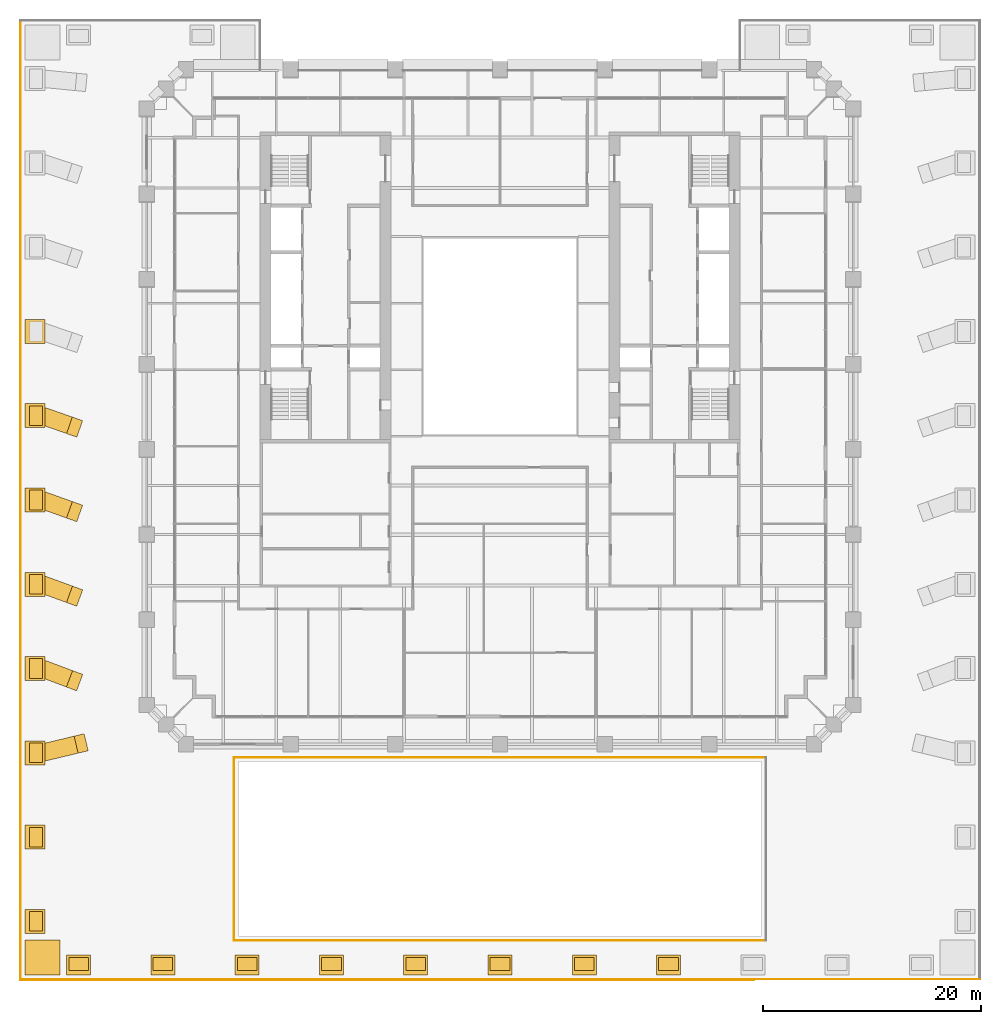
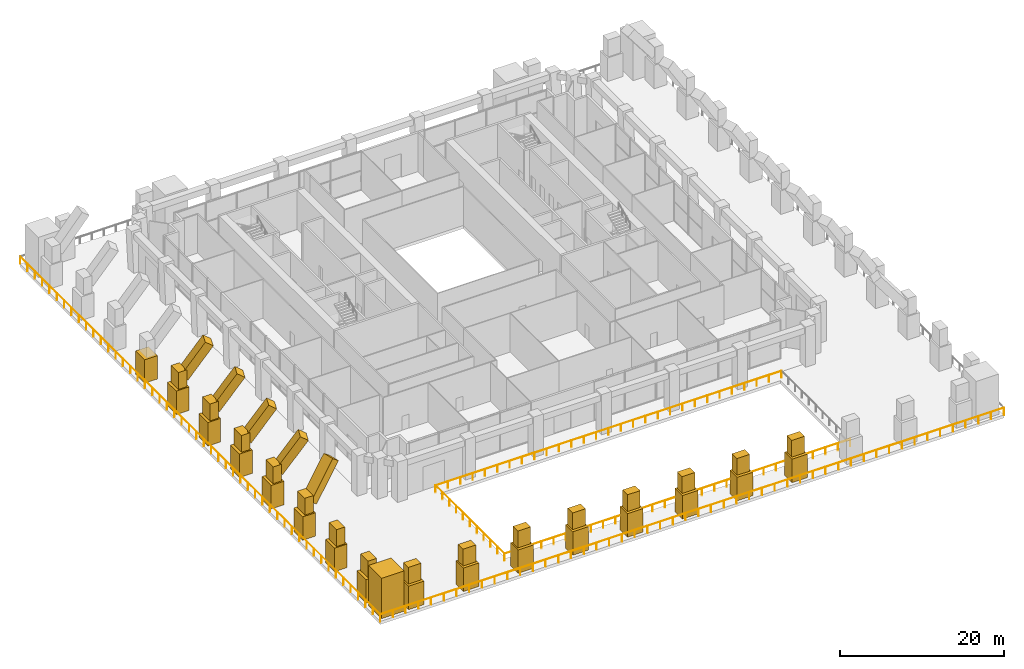
# One storey, part 18 of 20: 37 coverings, 5 railings.
"""IFC4 building model written with IfcOpenShell, lengths in metres."""

from ifc_helpers import new_model, si_unit, direction, frame, origin, origin_2d, place, context, subcontext, project, spatial, rectangle, circle, extrude, material, material_profile, profile_set, type_object, element, save


model = new_model("IFC4")

# Units and contexts
model_context = context("Model", 3, precision=1e-05, world=origin(), true_north=direction((0.0, 1.0)))
body_context = subcontext(model_context, "Body", "Model", "MODEL_VIEW")
ifc_project = project(units=[si_unit("LENGTHUNIT", "METRE"), si_unit("AREAUNIT", "SQUARE_METRE"), si_unit("VOLUMEUNIT", "CUBIC_METRE"), si_unit("PLANEANGLEUNIT", "RADIAN"), si_unit("MASSUNIT", "GRAM", prefix="KILO")], contexts=[model_context])

# Site, building, storey
site_placement = place(None, origin())
site = spatial("IfcSite", under=ifc_project, at=site_placement, CompositionType="ELEMENT")
building_placement = place(site_placement, origin())
building = spatial("IfcBuilding", under=site, at=building_placement, Name="Ogive Exchange Tower", CompositionType="ELEMENT")
storey_placement = place(building_placement, frame((0.0, 0.0, 33.60009765625)))
storey = spatial("IfcBuildingStorey", under=building, at=storey_placement, Name="L06", CompositionType="ELEMENT", Elevation=33.60009765625)

# Railings
ifc_material_1 = material(Name="Stainless steel 316", Category="steel")
railing_type = type_object("IfcRailingType", Name="Balustrade 1100 glass and stainless steel", PredefinedType="BALUSTRADE", material=ifc_material_1)
railing_1_placement = place(storey_placement, frame((-44.0, -52.0, 0.0)))
element("IfcRailing", 1, at=railing_1_placement, inside=storey, type_object=railing_type, Name="Terrace balustrade 1", PredefinedType="BALUSTRADE", context=body_context, shape_type="SweptSolid", body=[
    extrude(circle(Radius=0.02392578125, at=origin_2d()), frame((0.0, 0.0, 1.076171875), z_axis=(0.0, 1.0, 0.0), x_axis=(-1.0, 0.0, 0.0)), (0.0, 0.0, 1.0), 88.0),
    extrude(circle(Radius=0.02099609375, at=origin_2d()), origin(), (0.0, 0.0, 1.0), 1.052001953125),
    extrude(circle(Radius=0.02099609375, at=origin_2d()), frame((0.0, 1.7958984375, 0.0)), (0.0, 0.0, 1.0), 1.052001953125),
    extrude(circle(Radius=0.02099609375, at=origin_2d()), frame((0.0, 3.591796875, 0.0)), (0.0, 0.0, 1.0), 1.052001953125),
    extrude(circle(Radius=0.02099609375, at=origin_2d()), frame((0.0, 5.3876953125, 0.0)), (0.0, 0.0, 1.0), 1.052001953125),
    extrude(circle(Radius=0.02099609375, at=origin_2d()), frame((0.0, 7.18359375, 0.0)), (0.0, 0.0, 1.0), 1.052001953125),
    extrude(circle(Radius=0.02099609375, at=origin_2d()), frame((0.0, 8.9794921875, 0.0)), (0.0, 0.0, 1.0), 1.052001953125),
    extrude(circle(Radius=0.02099609375, at=origin_2d()), frame((0.0, 10.775390625, 0.0)), (0.0, 0.0, 1.0), 1.052001953125),
    extrude(circle(Radius=0.02099609375, at=origin_2d()), frame((0.0, 12.571533203125, 0.0)), (0.0, 0.0, 1.0), 1.052001953125),
    extrude(circle(Radius=0.02099609375, at=origin_2d()), frame((0.0, 14.367431640625, 0.0)), (0.0, 0.0, 1.0), 1.052001953125),
    extrude(circle(Radius=0.02099609375, at=origin_2d()), frame((0.0, 16.163330078125, 0.0)), (0.0, 0.0, 1.0), 1.052001953125),
    extrude(circle(Radius=0.02099609375, at=origin_2d()), frame((0.0, 17.959228515625, 0.0)), (0.0, 0.0, 1.0), 1.052001953125),
    extrude(circle(Radius=0.02099609375, at=origin_2d()), frame((0.0, 19.755126953125, 0.0)), (0.0, 0.0, 1.0), 1.052001953125),
    extrude(circle(Radius=0.02099609375, at=origin_2d()), frame((0.0, 21.551025390625, 0.0)), (0.0, 0.0, 1.0), 1.052001953125),
    extrude(circle(Radius=0.02099609375, at=origin_2d()), frame((0.0, 23.346923828125, 0.0)), (0.0, 0.0, 1.0), 1.052001953125),
    extrude(circle(Radius=0.02099609375, at=origin_2d()), frame((0.0, 25.142822265625, 0.0)), (0.0, 0.0, 1.0), 1.052001953125),
    extrude(circle(Radius=0.02099609375, at=origin_2d()), frame((0.0, 26.938720703125, 0.0)), (0.0, 0.0, 1.0), 1.052001953125),
    extrude(circle(Radius=0.02099609375, at=origin_2d()), frame((0.0, 28.734619140625, 0.0)), (0.0, 0.0, 1.0), 1.052001953125),
    extrude(circle(Radius=0.02099609375, at=origin_2d()), frame((0.0, 30.530517578125, 0.0)), (0.0, 0.0, 1.0), 1.052001953125),
    extrude(circle(Radius=0.02099609375, at=origin_2d()), frame((0.0, 32.326416015625, 0.0)), (0.0, 0.0, 1.0), 1.052001953125),
    extrude(circle(Radius=0.02099609375, at=origin_2d()), frame((0.0, 34.12255859375, 0.0)), (0.0, 0.0, 1.0), 1.052001953125),
    extrude(circle(Radius=0.02099609375, at=origin_2d()), frame((0.0, 35.91845703125, 0.0)), (0.0, 0.0, 1.0), 1.052001953125),
    extrude(circle(Radius=0.02099609375, at=origin_2d()), frame((0.0, 37.71435546875, 0.0)), (0.0, 0.0, 1.0), 1.052001953125),
    extrude(circle(Radius=0.02099609375, at=origin_2d()), frame((0.0, 39.51025390625, 0.0)), (0.0, 0.0, 1.0), 1.052001953125),
    extrude(circle(Radius=0.02099609375, at=origin_2d()), frame((0.0, 41.30615234375, 0.0)), (0.0, 0.0, 1.0), 1.052001953125),
    extrude(circle(Radius=0.02099609375, at=origin_2d()), frame((0.0, 43.10205078125, 0.0)), (0.0, 0.0, 1.0), 1.052001953125),
    extrude(circle(Radius=0.02099609375, at=origin_2d()), frame((0.0, 44.89794921875, 0.0)), (0.0, 0.0, 1.0), 1.052001953125),
    extrude(circle(Radius=0.02099609375, at=origin_2d()), frame((0.0, 46.69384765625, 0.0)), (0.0, 0.0, 1.0), 1.052001953125),
    extrude(circle(Radius=0.02099609375, at=origin_2d()), frame((0.0, 48.48974609375, 0.0)), (0.0, 0.0, 1.0), 1.052001953125),
    extrude(circle(Radius=0.02099609375, at=origin_2d()), frame((0.0, 50.28564453125, 0.0)), (0.0, 0.0, 1.0), 1.052001953125),
    extrude(circle(Radius=0.02099609375, at=origin_2d()), frame((0.0, 52.08154296875, 0.0)), (0.0, 0.0, 1.0), 1.052001953125),
    extrude(circle(Radius=0.02099609375, at=origin_2d()), frame((0.0, 53.87744140625, 0.0)), (0.0, 0.0, 1.0), 1.052001953125),
    extrude(circle(Radius=0.02099609375, at=origin_2d()), frame((0.0, 55.673583984375, 0.0)), (0.0, 0.0, 1.0), 1.052001953125),
    extrude(circle(Radius=0.02099609375, at=origin_2d()), frame((0.0, 57.469482421875, 0.0)), (0.0, 0.0, 1.0), 1.052001953125),
    extrude(circle(Radius=0.02099609375, at=origin_2d()), frame((0.0, 59.265380859375, 0.0)), (0.0, 0.0, 1.0), 1.052001953125),
    extrude(circle(Radius=0.02099609375, at=origin_2d()), frame((0.0, 61.061279296875, 0.0)), (0.0, 0.0, 1.0), 1.052001953125),
    extrude(circle(Radius=0.02099609375, at=origin_2d()), frame((0.0, 62.857177734375, 0.0)), (0.0, 0.0, 1.0), 1.052001953125),
    extrude(circle(Radius=0.02099609375, at=origin_2d()), frame((0.0, 64.653076171875, 0.0)), (0.0, 0.0, 1.0), 1.052001953125),
    extrude(circle(Radius=0.02099609375, at=origin_2d()), frame((0.0, 66.448974609375, 0.0)), (0.0, 0.0, 1.0), 1.052001953125),
    extrude(circle(Radius=0.02099609375, at=origin_2d()), frame((0.0, 68.244873046875, 0.0)), (0.0, 0.0, 1.0), 1.052001953125),
    extrude(circle(Radius=0.02099609375, at=origin_2d()), frame((0.0, 70.040771484375, 0.0)), (0.0, 0.0, 1.0), 1.052001953125),
    extrude(circle(Radius=0.02099609375, at=origin_2d()), frame((0.0, 71.836669921875, 0.0)), (0.0, 0.0, 1.0), 1.052001953125),
    extrude(circle(Radius=0.02099609375, at=origin_2d()), frame((0.0, 73.632568359375, 0.0)), (0.0, 0.0, 1.0), 1.052001953125),
    extrude(circle(Radius=0.02099609375, at=origin_2d()), frame((0.0, 75.428466796875, 0.0)), (0.0, 0.0, 1.0), 1.052001953125),
    extrude(circle(Radius=0.02099609375, at=origin_2d()), frame((0.0, 77.224609375, 0.0)), (0.0, 0.0, 1.0), 1.052001953125),
    extrude(circle(Radius=0.02099609375, at=origin_2d()), frame((0.0, 79.0205078125, 0.0)), (0.0, 0.0, 1.0), 1.052001953125),
    extrude(circle(Radius=0.02099609375, at=origin_2d()), frame((0.0, 80.81640625, 0.0)), (0.0, 0.0, 1.0), 1.052001953125),
    extrude(circle(Radius=0.02099609375, at=origin_2d()), frame((0.0, 82.6123046875, 0.0)), (0.0, 0.0, 1.0), 1.052001953125),
    extrude(circle(Radius=0.02099609375, at=origin_2d()), frame((0.0, 84.408203125, 0.0)), (0.0, 0.0, 1.0), 1.052001953125),
    extrude(circle(Radius=0.02099609375, at=origin_2d()), frame((0.0, 86.2041015625, 0.0)), (0.0, 0.0, 1.0), 1.052001953125),
    extrude(circle(Radius=0.02099609375, at=origin_2d()), frame((0.0, 88.0, 0.0)), (0.0, 0.0, 1.0), 1.052001953125),
])
railing_2_placement = place(storey_placement, frame((44.0, -52.0, 0.0)))
element("IfcRailing", 2, at=railing_2_placement, inside=storey, type_object=railing_type, Name="Terrace balustrade 7", PredefinedType="BALUSTRADE", context=body_context, shape_type="SweptSolid", body=[
    extrude(circle(Radius=0.02392578125, at=origin_2d()), frame((0.0, 0.0, 1.076171875), z_axis=(-1.0, 0.0, 0.0), x_axis=(0.0, -1.0, 0.0)), (0.0, 0.0, 1.0), 88.0),
    extrude(circle(Radius=0.02099609375, at=origin_2d()), origin(), (0.0, 0.0, 1.0), 1.052001953125),
    extrude(circle(Radius=0.02099609375, at=origin_2d()), frame((-1.7958984375, 0.0, 0.0)), (0.0, 0.0, 1.0), 1.052001953125),
    extrude(circle(Radius=0.02099609375, at=origin_2d()), frame((-3.591796875, 0.0, 0.0)), (0.0, 0.0, 1.0), 1.052001953125),
    extrude(circle(Radius=0.02099609375, at=origin_2d()), frame((-5.3876953125, 0.0, 0.0)), (0.0, 0.0, 1.0), 1.052001953125),
    extrude(circle(Radius=0.02099609375, at=origin_2d()), frame((-7.18359375, 0.0, 0.0)), (0.0, 0.0, 1.0), 1.052001953125),
    extrude(circle(Radius=0.02099609375, at=origin_2d()), frame((-8.9794921875, 0.0, 0.0)), (0.0, 0.0, 1.0), 1.052001953125),
    extrude(circle(Radius=0.02099609375, at=origin_2d()), frame((-10.775390625, 0.0, 0.0)), (0.0, 0.0, 1.0), 1.052001953125),
    extrude(circle(Radius=0.02099609375, at=origin_2d()), frame((-12.571533203125, 0.0, 0.0)), (0.0, 0.0, 1.0), 1.052001953125),
    extrude(circle(Radius=0.02099609375, at=origin_2d()), frame((-14.367431640625, 0.0, 0.0)), (0.0, 0.0, 1.0), 1.052001953125),
    extrude(circle(Radius=0.02099609375, at=origin_2d()), frame((-16.163330078125, 0.0, 0.0)), (0.0, 0.0, 1.0), 1.052001953125),
    extrude(circle(Radius=0.02099609375, at=origin_2d()), frame((-17.959228515625, 0.0, 0.0)), (0.0, 0.0, 1.0), 1.052001953125),
    extrude(circle(Radius=0.02099609375, at=origin_2d()), frame((-19.755126953125, 0.0, 0.0)), (0.0, 0.0, 1.0), 1.052001953125),
    extrude(circle(Radius=0.02099609375, at=origin_2d()), frame((-21.551025390625, 0.0, 0.0)), (0.0, 0.0, 1.0), 1.052001953125),
    extrude(circle(Radius=0.02099609375, at=origin_2d()), frame((-23.346923828125, 0.0, 0.0)), (0.0, 0.0, 1.0), 1.052001953125),
    extrude(circle(Radius=0.02099609375, at=origin_2d()), frame((-25.142822265625, 0.0, 0.0)), (0.0, 0.0, 1.0), 1.052001953125),
    extrude(circle(Radius=0.02099609375, at=origin_2d()), frame((-26.938720703125, 0.0, 0.0)), (0.0, 0.0, 1.0), 1.052001953125),
    extrude(circle(Radius=0.02099609375, at=origin_2d()), frame((-28.734619140625, 0.0, 0.0)), (0.0, 0.0, 1.0), 1.052001953125),
    extrude(circle(Radius=0.02099609375, at=origin_2d()), frame((-30.530517578125, 0.0, 0.0)), (0.0, 0.0, 1.0), 1.052001953125),
    extrude(circle(Radius=0.02099609375, at=origin_2d()), frame((-32.326416015625, 0.0, 0.0)), (0.0, 0.0, 1.0), 1.052001953125),
    extrude(circle(Radius=0.02099609375, at=origin_2d()), frame((-34.12255859375, 0.0, 0.0)), (0.0, 0.0, 1.0), 1.052001953125),
    extrude(circle(Radius=0.02099609375, at=origin_2d()), frame((-35.91845703125, 0.0, 0.0)), (0.0, 0.0, 1.0), 1.052001953125),
    extrude(circle(Radius=0.02099609375, at=origin_2d()), frame((-37.71435546875, 0.0, 0.0)), (0.0, 0.0, 1.0), 1.052001953125),
    extrude(circle(Radius=0.02099609375, at=origin_2d()), frame((-39.51025390625, 0.0, 0.0)), (0.0, 0.0, 1.0), 1.052001953125),
    extrude(circle(Radius=0.02099609375, at=origin_2d()), frame((-41.30615234375, 0.0, 0.0)), (0.0, 0.0, 1.0), 1.052001953125),
    extrude(circle(Radius=0.02099609375, at=origin_2d()), frame((-43.10205078125, 0.0, 0.0)), (0.0, 0.0, 1.0), 1.052001953125),
    extrude(circle(Radius=0.02099609375, at=origin_2d()), frame((-44.89794921875, 0.0, 0.0)), (0.0, 0.0, 1.0), 1.052001953125),
    extrude(circle(Radius=0.02099609375, at=origin_2d()), frame((-46.69384765625, 0.0, 0.0)), (0.0, 0.0, 1.0), 1.052001953125),
    extrude(circle(Radius=0.02099609375, at=origin_2d()), frame((-48.48974609375, 0.0, 0.0)), (0.0, 0.0, 1.0), 1.052001953125),
    extrude(circle(Radius=0.02099609375, at=origin_2d()), frame((-50.28564453125, 0.0, 0.0)), (0.0, 0.0, 1.0), 1.052001953125),
    extrude(circle(Radius=0.02099609375, at=origin_2d()), frame((-52.08154296875, 0.0, 0.0)), (0.0, 0.0, 1.0), 1.052001953125),
    extrude(circle(Radius=0.02099609375, at=origin_2d()), frame((-53.87744140625, 0.0, 0.0)), (0.0, 0.0, 1.0), 1.052001953125),
    extrude(circle(Radius=0.02099609375, at=origin_2d()), frame((-55.673583984375, 0.0, 0.0)), (0.0, 0.0, 1.0), 1.052001953125),
    extrude(circle(Radius=0.02099609375, at=origin_2d()), frame((-57.469482421875, 0.0, 0.0)), (0.0, 0.0, 1.0), 1.052001953125),
    extrude(circle(Radius=0.02099609375, at=origin_2d()), frame((-59.265380859375, 0.0, 0.0)), (0.0, 0.0, 1.0), 1.052001953125),
    extrude(circle(Radius=0.02099609375, at=origin_2d()), frame((-61.061279296875, 0.0, 0.0)), (0.0, 0.0, 1.0), 1.052001953125),
    extrude(circle(Radius=0.02099609375, at=origin_2d()), frame((-62.857177734375, 0.0, 0.0)), (0.0, 0.0, 1.0), 1.052001953125),
    extrude(circle(Radius=0.02099609375, at=origin_2d()), frame((-64.653076171875, 0.0, 0.0)), (0.0, 0.0, 1.0), 1.052001953125),
    extrude(circle(Radius=0.02099609375, at=origin_2d()), frame((-66.448974609375, 0.0, 0.0)), (0.0, 0.0, 1.0), 1.052001953125),
    extrude(circle(Radius=0.02099609375, at=origin_2d()), frame((-68.244873046875, 0.0, 0.0)), (0.0, 0.0, 1.0), 1.052001953125),
    extrude(circle(Radius=0.02099609375, at=origin_2d()), frame((-70.040771484375, 0.0, 0.0)), (0.0, 0.0, 1.0), 1.052001953125),
    extrude(circle(Radius=0.02099609375, at=origin_2d()), frame((-71.836669921875, 0.0, 0.0)), (0.0, 0.0, 1.0), 1.052001953125),
    extrude(circle(Radius=0.02099609375, at=origin_2d()), frame((-73.632568359375, 0.0, 0.0)), (0.0, 0.0, 1.0), 1.052001953125),
    extrude(circle(Radius=0.02099609375, at=origin_2d()), frame((-75.428466796875, 0.0, 0.0)), (0.0, 0.0, 1.0), 1.052001953125),
    extrude(circle(Radius=0.02099609375, at=origin_2d()), frame((-77.224609375, 0.0, 0.0)), (0.0, 0.0, 1.0), 1.052001953125),
    extrude(circle(Radius=0.02099609375, at=origin_2d()), frame((-79.0205078125, 0.0, 0.0)), (0.0, 0.0, 1.0), 1.052001953125),
    extrude(circle(Radius=0.02099609375, at=origin_2d()), frame((-80.81640625, 0.0, 0.0)), (0.0, 0.0, 1.0), 1.052001953125),
    extrude(circle(Radius=0.02099609375, at=origin_2d()), frame((-82.6123046875, 0.0, 0.0)), (0.0, 0.0, 1.0), 1.052001953125),
    extrude(circle(Radius=0.02099609375, at=origin_2d()), frame((-84.408203125, 0.0, 0.0)), (0.0, 0.0, 1.0), 1.052001953125),
    extrude(circle(Radius=0.02099609375, at=origin_2d()), frame((-86.2041015625, 0.0, 0.0)), (0.0, 0.0, 1.0), 1.052001953125),
    extrude(circle(Radius=0.02099609375, at=origin_2d()), frame((-88.0, 0.0, 0.0)), (0.0, 0.0, 1.0), 1.052001953125),
])
railing_3_placement = place(storey_placement, frame((24.39990234375, -48.39990234375, 0.0)))
element("IfcRailing", 3, at=railing_3_placement, inside=storey, type_object=railing_type, Name="Terrace balustrade 9", PredefinedType="BALUSTRADE", context=body_context, shape_type="SweptSolid", body=[
    extrude(circle(Radius=0.02392578125, at=origin_2d()), frame((0.0, 0.0, 1.076171875), z_axis=(-1.0, 0.0, 0.0), x_axis=(0.0, -1.0, 0.0)), (0.0, 0.0, 1.0), 48.7998046875),
    extrude(circle(Radius=0.02099609375, at=origin_2d()), origin(), (0.0, 0.0, 1.0), 1.052001953125),
    extrude(circle(Radius=0.02099609375, at=origin_2d()), frame((-1.742919921875, 0.0, 0.0)), (0.0, 0.0, 1.0), 1.052001953125),
    extrude(circle(Radius=0.02099609375, at=origin_2d()), frame((-3.485595703125, 0.0, 0.0)), (0.0, 0.0, 1.0), 1.052001953125),
    extrude(circle(Radius=0.02099609375, at=origin_2d()), frame((-5.228515625, 0.0, 0.0)), (0.0, 0.0, 1.0), 1.052001953125),
    extrude(circle(Radius=0.02099609375, at=origin_2d()), frame((-6.971435546875, 0.0, 0.0)), (0.0, 0.0, 1.0), 1.052001953125),
    extrude(circle(Radius=0.02099609375, at=origin_2d()), frame((-8.71435546875, 0.0, 0.0)), (0.0, 0.0, 1.0), 1.052001953125),
    extrude(circle(Radius=0.02099609375, at=origin_2d()), frame((-10.45703125, 0.0, 0.0)), (0.0, 0.0, 1.0), 1.052001953125),
    extrude(circle(Radius=0.02099609375, at=origin_2d()), frame((-12.199951171875, 0.0, 0.0)), (0.0, 0.0, 1.0), 1.052001953125),
    extrude(circle(Radius=0.02099609375, at=origin_2d()), frame((-13.94287109375, 0.0, 0.0)), (0.0, 0.0, 1.0), 1.052001953125),
    extrude(circle(Radius=0.02099609375, at=origin_2d()), frame((-15.685546875, 0.0, 0.0)), (0.0, 0.0, 1.0), 1.052001953125),
    extrude(circle(Radius=0.02099609375, at=origin_2d()), frame((-17.428466796875, 0.0, 0.0)), (0.0, 0.0, 1.0), 1.052001953125),
    extrude(circle(Radius=0.02099609375, at=origin_2d()), frame((-19.17138671875, 0.0, 0.0)), (0.0, 0.0, 1.0), 1.052001953125),
    extrude(circle(Radius=0.02099609375, at=origin_2d()), frame((-20.914306640625, 0.0, 0.0)), (0.0, 0.0, 1.0), 1.052001953125),
    extrude(circle(Radius=0.02099609375, at=origin_2d()), frame((-22.656982421875, 0.0, 0.0)), (0.0, 0.0, 1.0), 1.052001953125),
    extrude(circle(Radius=0.02099609375, at=origin_2d()), frame((-24.39990234375, 0.0, 0.0)), (0.0, 0.0, 1.0), 1.052001953125),
    extrude(circle(Radius=0.02099609375, at=origin_2d()), frame((-26.142822265625, 0.0, 0.0)), (0.0, 0.0, 1.0), 1.052001953125),
    extrude(circle(Radius=0.02099609375, at=origin_2d()), frame((-27.885498046875, 0.0, 0.0)), (0.0, 0.0, 1.0), 1.052001953125),
    extrude(circle(Radius=0.02099609375, at=origin_2d()), frame((-29.62841796875, 0.0, 0.0)), (0.0, 0.0, 1.0), 1.052001953125),
    extrude(circle(Radius=0.02099609375, at=origin_2d()), frame((-31.371337890625, 0.0, 0.0)), (0.0, 0.0, 1.0), 1.052001953125),
    extrude(circle(Radius=0.02099609375, at=origin_2d()), frame((-33.1142578125, 0.0, 0.0)), (0.0, 0.0, 1.0), 1.052001953125),
    extrude(circle(Radius=0.02099609375, at=origin_2d()), frame((-34.85693359375, 0.0, 0.0)), (0.0, 0.0, 1.0), 1.052001953125),
    extrude(circle(Radius=0.02099609375, at=origin_2d()), frame((-36.599853515625, 0.0, 0.0)), (0.0, 0.0, 1.0), 1.052001953125),
    extrude(circle(Radius=0.02099609375, at=origin_2d()), frame((-38.3427734375, 0.0, 0.0)), (0.0, 0.0, 1.0), 1.052001953125),
    extrude(circle(Radius=0.02099609375, at=origin_2d()), frame((-40.08544921875, 0.0, 0.0)), (0.0, 0.0, 1.0), 1.052001953125),
    extrude(circle(Radius=0.02099609375, at=origin_2d()), frame((-41.828369140625, 0.0, 0.0)), (0.0, 0.0, 1.0), 1.052001953125),
    extrude(circle(Radius=0.02099609375, at=origin_2d()), frame((-43.5712890625, 0.0, 0.0)), (0.0, 0.0, 1.0), 1.052001953125),
    extrude(circle(Radius=0.02099609375, at=origin_2d()), frame((-45.314208984375, 0.0, 0.0)), (0.0, 0.0, 1.0), 1.052001953125),
    extrude(circle(Radius=0.02099609375, at=origin_2d()), frame((-47.056884765625, 0.0, 0.0)), (0.0, 0.0, 1.0), 1.052001953125),
    extrude(circle(Radius=0.02099609375, at=origin_2d()), frame((-48.7998046875, 0.0, 0.0)), (0.0, 0.0, 1.0), 1.052001953125),
])
railing_4_placement = place(storey_placement, frame((-24.39990234375, -48.39990234375, 0.0)))
element("IfcRailing", 4, at=railing_4_placement, inside=storey, type_object=railing_type, Name="Terrace balustrade 10", PredefinedType="BALUSTRADE", context=body_context, shape_type="SweptSolid", body=[
    extrude(circle(Radius=0.02392578125, at=origin_2d()), frame((0.0, 0.0, 1.076171875), z_axis=(0.0, 1.0, 0.0), x_axis=(-1.0, 0.0, 0.0)), (0.0, 0.0, 1.0), 16.7998046875),
    extrude(circle(Radius=0.02099609375, at=origin_2d()), origin(), (0.0, 0.0, 1.0), 1.052001953125),
    extrude(circle(Radius=0.02099609375, at=origin_2d()), frame((0.0, 1.679931640625, 0.0)), (0.0, 0.0, 1.0), 1.052001953125),
    extrude(circle(Radius=0.02099609375, at=origin_2d()), frame((0.0, 3.35986328125, 0.0)), (0.0, 0.0, 1.0), 1.052001953125),
    extrude(circle(Radius=0.02099609375, at=origin_2d()), frame((0.0, 5.0400390625, 0.0)), (0.0, 0.0, 1.0), 1.052001953125),
    extrude(circle(Radius=0.02099609375, at=origin_2d()), frame((0.0, 6.719970703125, 0.0)), (0.0, 0.0, 1.0), 1.052001953125),
    extrude(circle(Radius=0.02099609375, at=origin_2d()), frame((0.0, 8.39990234375, 0.0)), (0.0, 0.0, 1.0), 1.052001953125),
    extrude(circle(Radius=0.02099609375, at=origin_2d()), frame((0.0, 10.079833984375, 0.0)), (0.0, 0.0, 1.0), 1.052001953125),
    extrude(circle(Radius=0.02099609375, at=origin_2d()), frame((0.0, 11.759765625, 0.0)), (0.0, 0.0, 1.0), 1.052001953125),
    extrude(circle(Radius=0.02099609375, at=origin_2d()), frame((0.0, 13.43994140625, 0.0)), (0.0, 0.0, 1.0), 1.052001953125),
    extrude(circle(Radius=0.02099609375, at=origin_2d()), frame((0.0, 15.119873046875, 0.0)), (0.0, 0.0, 1.0), 1.052001953125),
    extrude(circle(Radius=0.02099609375, at=origin_2d()), frame((0.0, 16.7998046875, 0.0)), (0.0, 0.0, 1.0), 1.052001953125),
])
railing_5_placement = place(storey_placement, frame((-24.39990234375, -31.60009765625, 0.0)))
element("IfcRailing", 5, at=railing_5_placement, inside=storey, type_object=railing_type, Name="Terrace balustrade 11", PredefinedType="BALUSTRADE", context=body_context, shape_type="SweptSolid", body=[
    extrude(circle(Radius=0.02392578125, at=origin_2d()), frame((0.0, 0.0, 1.076171875), z_axis=(1.0, 0.0, 0.0), x_axis=(0.0, 1.0, 0.0)), (0.0, 0.0, 1.0), 48.7998046875),
    extrude(circle(Radius=0.02099609375, at=origin_2d()), origin(), (0.0, 0.0, 1.0), 1.052001953125),
    extrude(circle(Radius=0.02099609375, at=origin_2d()), frame((1.742919921875, 0.0, 0.0)), (0.0, 0.0, 1.0), 1.052001953125),
    extrude(circle(Radius=0.02099609375, at=origin_2d()), frame((3.485595703125, 0.0, 0.0)), (0.0, 0.0, 1.0), 1.052001953125),
    extrude(circle(Radius=0.02099609375, at=origin_2d()), frame((5.228515625, 0.0, 0.0)), (0.0, 0.0, 1.0), 1.052001953125),
    extrude(circle(Radius=0.02099609375, at=origin_2d()), frame((6.971435546875, 0.0, 0.0)), (0.0, 0.0, 1.0), 1.052001953125),
    extrude(circle(Radius=0.02099609375, at=origin_2d()), frame((8.71435546875, 0.0, 0.0)), (0.0, 0.0, 1.0), 1.052001953125),
    extrude(circle(Radius=0.02099609375, at=origin_2d()), frame((10.45703125, 0.0, 0.0)), (0.0, 0.0, 1.0), 1.052001953125),
    extrude(circle(Radius=0.02099609375, at=origin_2d()), frame((12.199951171875, 0.0, 0.0)), (0.0, 0.0, 1.0), 1.052001953125),
    extrude(circle(Radius=0.02099609375, at=origin_2d()), frame((13.94287109375, 0.0, 0.0)), (0.0, 0.0, 1.0), 1.052001953125),
    extrude(circle(Radius=0.02099609375, at=origin_2d()), frame((15.685546875, 0.0, 0.0)), (0.0, 0.0, 1.0), 1.052001953125),
    extrude(circle(Radius=0.02099609375, at=origin_2d()), frame((17.428466796875, 0.0, 0.0)), (0.0, 0.0, 1.0), 1.052001953125),
    extrude(circle(Radius=0.02099609375, at=origin_2d()), frame((19.17138671875, 0.0, 0.0)), (0.0, 0.0, 1.0), 1.052001953125),
    extrude(circle(Radius=0.02099609375, at=origin_2d()), frame((20.914306640625, 0.0, 0.0)), (0.0, 0.0, 1.0), 1.052001953125),
    extrude(circle(Radius=0.02099609375, at=origin_2d()), frame((22.656982421875, 0.0, 0.0)), (0.0, 0.0, 1.0), 1.052001953125),
    extrude(circle(Radius=0.02099609375, at=origin_2d()), frame((24.39990234375, 0.0, 0.0)), (0.0, 0.0, 1.0), 1.052001953125),
    extrude(circle(Radius=0.02099609375, at=origin_2d()), frame((26.142822265625, 0.0, 0.0)), (0.0, 0.0, 1.0), 1.052001953125),
    extrude(circle(Radius=0.02099609375, at=origin_2d()), frame((27.885498046875, 0.0, 0.0)), (0.0, 0.0, 1.0), 1.052001953125),
    extrude(circle(Radius=0.02099609375, at=origin_2d()), frame((29.62841796875, 0.0, 0.0)), (0.0, 0.0, 1.0), 1.052001953125),
    extrude(circle(Radius=0.02099609375, at=origin_2d()), frame((31.371337890625, 0.0, 0.0)), (0.0, 0.0, 1.0), 1.052001953125),
    extrude(circle(Radius=0.02099609375, at=origin_2d()), frame((33.1142578125, 0.0, 0.0)), (0.0, 0.0, 1.0), 1.052001953125),
    extrude(circle(Radius=0.02099609375, at=origin_2d()), frame((34.85693359375, 0.0, 0.0)), (0.0, 0.0, 1.0), 1.052001953125),
    extrude(circle(Radius=0.02099609375, at=origin_2d()), frame((36.599853515625, 0.0, 0.0)), (0.0, 0.0, 1.0), 1.052001953125),
    extrude(circle(Radius=0.02099609375, at=origin_2d()), frame((38.3427734375, 0.0, 0.0)), (0.0, 0.0, 1.0), 1.052001953125),
    extrude(circle(Radius=0.02099609375, at=origin_2d()), frame((40.08544921875, 0.0, 0.0)), (0.0, 0.0, 1.0), 1.052001953125),
    extrude(circle(Radius=0.02099609375, at=origin_2d()), frame((41.828369140625, 0.0, 0.0)), (0.0, 0.0, 1.0), 1.052001953125),
    extrude(circle(Radius=0.02099609375, at=origin_2d()), frame((43.5712890625, 0.0, 0.0)), (0.0, 0.0, 1.0), 1.052001953125),
    extrude(circle(Radius=0.02099609375, at=origin_2d()), frame((45.314208984375, 0.0, 0.0)), (0.0, 0.0, 1.0), 1.052001953125),
    extrude(circle(Radius=0.02099609375, at=origin_2d()), frame((47.056884765625, 0.0, 0.0)), (0.0, 0.0, 1.0), 1.052001953125),
    extrude(circle(Radius=0.02099609375, at=origin_2d()), frame((48.7998046875, 0.0, 0.0)), (0.0, 0.0, 1.0), 1.052001953125),
])

# Coverings
ifc_material_2 = material(Name="Precast concrete C50/60", Category="concrete")
ifc_material_profile_1 = material_profile(ifc_material_2, rectangle(XDim=2.199951171875, YDim=1.800048828125, at=origin_2d()), Name="BUTTRESS PIER 1 2200 x 1800")
ifc_profile_set_1 = profile_set([ifc_material_profile_1], Name="Precast concrete C50/60")
covering_type_1 = type_object("IfcCoveringType", Name="Precast buttress pier stage 1 2200 x 1800 C50/60", PredefinedType="CLADDING", material=ifc_profile_set_1)
for number, where, z_axis, x_axis, name in (
    (6, (-42.64990234375, 7.4599609375, 0.0), (0.0, 0.0, 1.0), (0.0, 1.0, 0.0), "Buttress pier 8 stage 1"),
    (7, (-42.64990234375, -0.27001953125, 0.0), (0.0, 0.0, 1.0), (0.0, 1.0, 0.0), "Buttress pier 9 stage 1"),
    (8, (-42.64990234375, -8.0, 0.0), (0.0, 0.0, 1.0), (0.0, 1.0, 0.0), "Buttress pier 10 stage 1"),
    (9, (-42.64990234375, -15.72998046875, 0.0), (0.0, 0.0, 1.0), (0.0, 1.0, 0.0), "Buttress pier 11 stage 1"),
    (10, (-42.64990234375, -23.4599609375, 0.0), (0.0, 0.0, 1.0), (0.0, 1.0, 0.0), "Buttress pier 12 stage 1"),
    (11, (-42.64990234375, -31.18994140625, 0.0), (0.0, 0.0, 1.0), (0.0, 1.0, 0.0), "Buttress pier 13 stage 1"),
    (12, (-42.64990234375, -38.919921875, 0.0), (0.0, 0.0, 1.0), (0.0, 1.0, 0.0), "Buttress pier 14 stage 1"),
    (13, (-42.64990234375, -46.64990234375, 0.0), (0.0, 0.0, 1.0), (0.0, 1.0, 0.0), "Buttress pier 15 stage 1"),
    (14, (-38.64990234375, -50.64990234375, 0.0), (0.0, 0.0, 1.0), (1.0, 0.0, 0.0), "Buttress pier 16 stage 1"),
    (15, (-30.919921875, -50.64990234375, 0.0), (0.0, 0.0, 1.0), (1.0, 0.0, 0.0), "Buttress pier 17 stage 1"),
    (16, (-23.18994140625, -50.64990234375, 0.0), (0.0, 0.0, 1.0), (1.0, 0.0, 0.0), "Buttress pier 18 stage 1"),
    (17, (-15.4599609375, -50.64990234375, 0.0), (0.0, 0.0, 1.0), (1.0, 0.0, 0.0), "Buttress pier 19 stage 1"),
    (18, (-7.72998046875, -50.64990234375, 0.0), (0.0, 0.0, 1.0), (1.0, 0.0, 0.0), "Buttress pier 20 stage 1"),
    (19, (0.0, -50.64990234375, 0.0), (0.0, 0.0, 1.0), (1.0, 0.0, 0.0), "Buttress pier 21 stage 1"),
    (20, (7.72998046875, -50.64990234375, 0.0), (0.0, 0.0, 1.0), (1.0, 0.0, 0.0), "Buttress pier 22 stage 1"),
    (21, (15.4599609375, -50.64990234375, 0.0), (0.0, 0.0, 1.0), (1.0, 0.0, 0.0), "Buttress pier 23 stage 1"),
):
    element("IfcCovering", number, at=place(storey_placement, frame(where, z_axis=z_axis, x_axis=x_axis)), inside=storey, type_object=covering_type_1, Name=name, PredefinedType="CLADDING", context=body_context, shape_type="SweptSolid", body=[
        extrude(rectangle(XDim=2.199951171875, YDim=1.800048828125, at=origin_2d()), origin(), (0.0, 0.0, 1.0), 3.5),
    ])
ifc_material_profile_2 = material_profile(ifc_material_2, rectangle(XDim=1.800048828125, YDim=1.199951171875, at=origin_2d()), Name="BUTTRESS PIER 2 1800 x 1200")
ifc_profile_set_2 = profile_set([ifc_material_profile_2], Name="Precast concrete C50/60")
covering_type_2 = type_object("IfcCoveringType", Name="Precast buttress pier stage 2 1800 x 1200 C50/60", PredefinedType="CLADDING", material=ifc_profile_set_2)
for number, where, z_axis, x_axis, name in (
    (22, (-42.550048828125, -0.27001953125, 3.5), (0.0, 0.0, 1.0), (0.0, 1.0, 0.0), "Buttress pier 9 stage 2"),
    (23, (-42.550048828125, -8.0, 3.5), (0.0, 0.0, 1.0), (0.0, 1.0, 0.0), "Buttress pier 10 stage 2"),
    (24, (-42.550048828125, -15.72998046875, 3.5), (0.0, 0.0, 1.0), (0.0, 1.0, 0.0), "Buttress pier 11 stage 2"),
    (25, (-42.550048828125, -23.4599609375, 3.5), (0.0, 0.0, 1.0), (0.0, 1.0, 0.0), "Buttress pier 12 stage 2"),
    (26, (-42.550048828125, -31.18994140625, 3.5), (0.0, 0.0, 1.0), (0.0, 1.0, 0.0), "Buttress pier 13 stage 2"),
    (27, (-42.550048828125, -38.919921875, 3.5), (0.0, 0.0, 1.0), (0.0, 1.0, 0.0), "Buttress pier 14 stage 2"),
    (28, (-42.550048828125, -46.64990234375, 3.5), (0.0, 0.0, 1.0), (0.0, 1.0, 0.0), "Buttress pier 15 stage 2"),
    (29, (-38.64990234375, -50.550048828125, 3.5), (0.0, 0.0, 1.0), (1.0, 0.0, 0.0), "Buttress pier 16 stage 2"),
    (30, (-30.919921875, -50.550048828125, 3.5), (0.0, 0.0, 1.0), (1.0, 0.0, 0.0), "Buttress pier 17 stage 2"),
    (31, (-23.18994140625, -50.550048828125, 3.5), (0.0, 0.0, 1.0), (1.0, 0.0, 0.0), "Buttress pier 18 stage 2"),
    (32, (-15.4599609375, -50.550048828125, 3.5), (0.0, 0.0, 1.0), (1.0, 0.0, 0.0), "Buttress pier 19 stage 2"),
    (33, (-7.72998046875, -50.550048828125, 3.5), (0.0, 0.0, 1.0), (1.0, 0.0, 0.0), "Buttress pier 20 stage 2"),
    (34, (0.0, -50.550048828125, 3.5), (0.0, 0.0, 1.0), (1.0, 0.0, 0.0), "Buttress pier 21 stage 2"),
    (35, (7.72998046875, -50.550048828125, 3.5), (0.0, 0.0, 1.0), (1.0, 0.0, 0.0), "Buttress pier 22 stage 2"),
    (36, (15.4599609375, -50.550048828125, 3.5), (0.0, 0.0, 1.0), (1.0, 0.0, 0.0), "Buttress pier 23 stage 2"),
):
    element("IfcCovering", number, at=place(storey_placement, frame(where, z_axis=z_axis, x_axis=x_axis)), inside=storey, type_object=covering_type_2, Name=name, PredefinedType="CLADDING", context=body_context, shape_type="SweptSolid", body=[
        extrude(rectangle(XDim=1.800048828125, YDim=1.199951171875, at=origin_2d()), origin(), (0.0, 0.0, 1.0), 2.5),
    ])
ifc_material_profile_3 = material_profile(ifc_material_2, rectangle(XDim=3.199951171875, YDim=3.199951171875, at=origin_2d()), Name="CORNER TURRET 1 3200 x 3200")
ifc_profile_set_3 = profile_set([ifc_material_profile_3], Name="Precast concrete C50/60")
covering_type_3 = type_object("IfcCoveringType", Name="Precast corner turret stage 1 3200 x 3200 C50/60", PredefinedType="CLADDING", material=ifc_profile_set_3)
covering_1_placement = place(storey_placement, frame((-41.949951171875, -49.949951171875, 0.0), z_axis=(0.0, 0.0, 1.0), x_axis=(1.0, 0.0, 0.0)))
element("IfcCovering", 37, at=covering_1_placement, inside=storey, type_object=covering_type_3, Name="Corner turret 5 stage 1", PredefinedType="CLADDING", context=body_context, shape_type="SweptSolid", body=[
    extrude(rectangle(XDim=3.199951171875, YDim=3.199951171875, at=origin_2d()), origin(), (0.0, 0.0, 1.0), 6.0),
])
ifc_material_profile_4 = material_profile(ifc_material_2, rectangle(XDim=1.60009765625, YDim=1.199951171875, at=origin_2d()), Name="FLYING BUTTRESS 1 1600 x 1200")
ifc_profile_set_4 = profile_set([ifc_material_profile_4], Name="Precast concrete C50/60")
covering_type_4 = type_object("IfcCoveringType", Name="Precast flying buttress stage 1 1600 x 1200 C50/60", PredefinedType="CLADDING", material=ifc_profile_set_4)
covering_2_placement = place(storey_placement, frame((-42.0, -31.18994140625, 4.75), z_axis=(0.59817122313, 0.144081171557, 0.788309459427), x_axis=(-0.234172109544, 0.972195156906, 0.0)))
element("IfcCovering", 38, at=covering_2_placement, inside=storey, type_object=covering_type_4, Name="Flying buttress 3 stage 1", PredefinedType="CLADDING", context=body_context, shape_type="SweptSolid", body=[
    extrude(rectangle(XDim=1.60009765625, YDim=1.199951171875, at=origin_2d()), origin(), (0.0, 0.0, 1.0), 5.989990234375),
])
covering_3_placement = place(storey_placement, frame((-42.0, -0.27001953125, 4.75), z_axis=(0.524999964228, -0.183565219118, 0.83107090425), x_axis=(0.330054446149, 0.943961896782, 0.0)))
element("IfcCovering", 39, at=covering_3_placement, inside=storey, type_object=covering_type_4, Name="Flying buttress 11 stage 1", PredefinedType="CLADDING", context=body_context, shape_type="SweptSolid", body=[
    extrude(rectangle(XDim=1.60009765625, YDim=1.199951171875, at=origin_2d()), origin(), (0.0, 0.0, 1.0), 5.681640625),
])
covering_4_placement = place(storey_placement, frame((-42.0, -8.0, 4.75), z_axis=(0.524589968859, -0.187629576356, 0.830421884736), x_axis=(0.336775737707, 0.941584888628, 0.0)))
element("IfcCovering", 40, at=covering_4_placement, inside=storey, type_object=covering_type_4, Name="Flying buttress 14 stage 1", PredefinedType="CLADDING", context=body_context, shape_type="SweptSolid", body=[
    extrude(rectangle(XDim=1.60009765625, YDim=1.199951171875, at=origin_2d()), origin(), (0.0, 0.0, 1.0), 5.686279296875),
])
covering_5_placement = place(storey_placement, frame((-42.0, -15.72998046875, 4.75), z_axis=(0.524184594531, -0.191560338401, 0.829780180294), x_axis=(0.343242512991, 0.939246813823, 0.0)))
element("IfcCovering", 41, at=covering_5_placement, inside=storey, type_object=covering_type_4, Name="Flying buttress 15 stage 1", PredefinedType="CLADDING", context=body_context, shape_type="SweptSolid", body=[
    extrude(rectangle(XDim=1.60009765625, YDim=1.199951171875, at=origin_2d()), origin(), (0.0, 0.0, 1.0), 5.690673828125),
])
covering_6_placement = place(storey_placement, frame((-42.0, -23.4599609375, 4.75), z_axis=(0.523775860058, -0.195440673269, 0.829133156768), x_axis=(0.349593533626, 0.93690146827, 0.0)))
element("IfcCovering", 42, at=covering_6_placement, inside=storey, type_object=covering_type_4, Name="Flying buttress 17 stage 1", PredefinedType="CLADDING", context=body_context, shape_type="SweptSolid", body=[
    extrude(rectangle(XDim=1.60009765625, YDim=1.199951171875, at=origin_2d()), origin(), (0.0, 0.0, 1.0), 5.695068359375),
])

save(model, "model.ifc")
